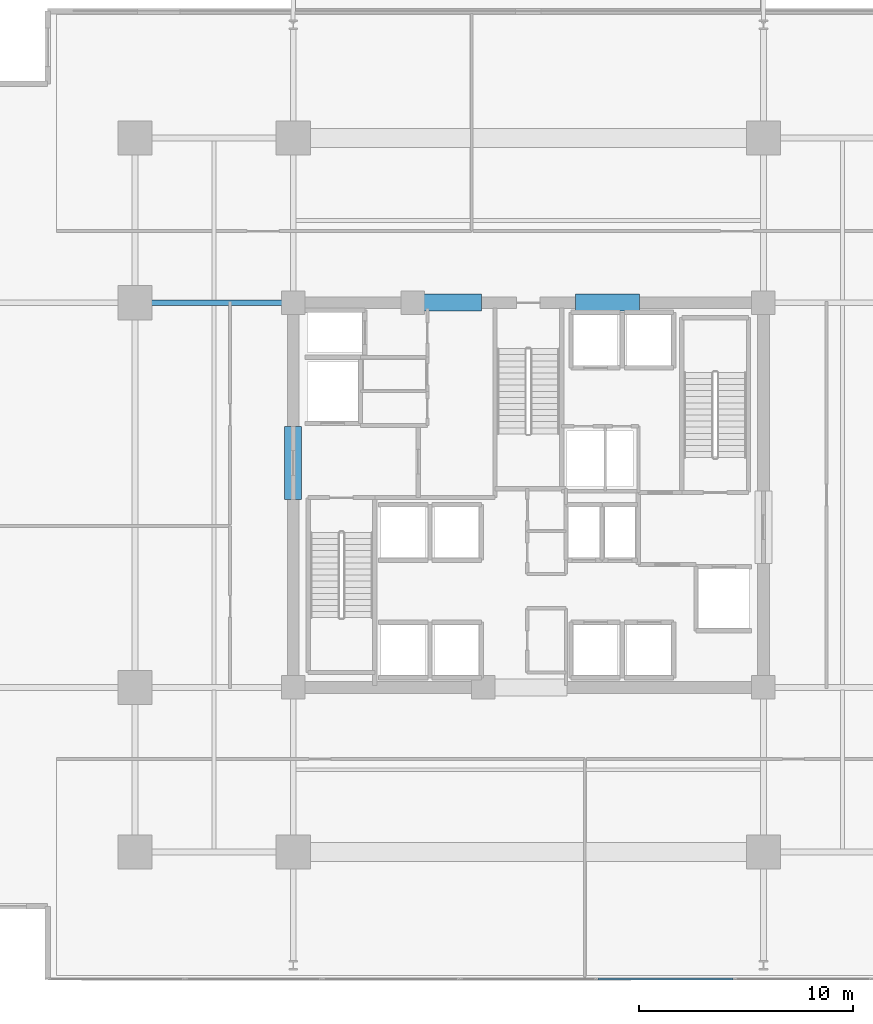
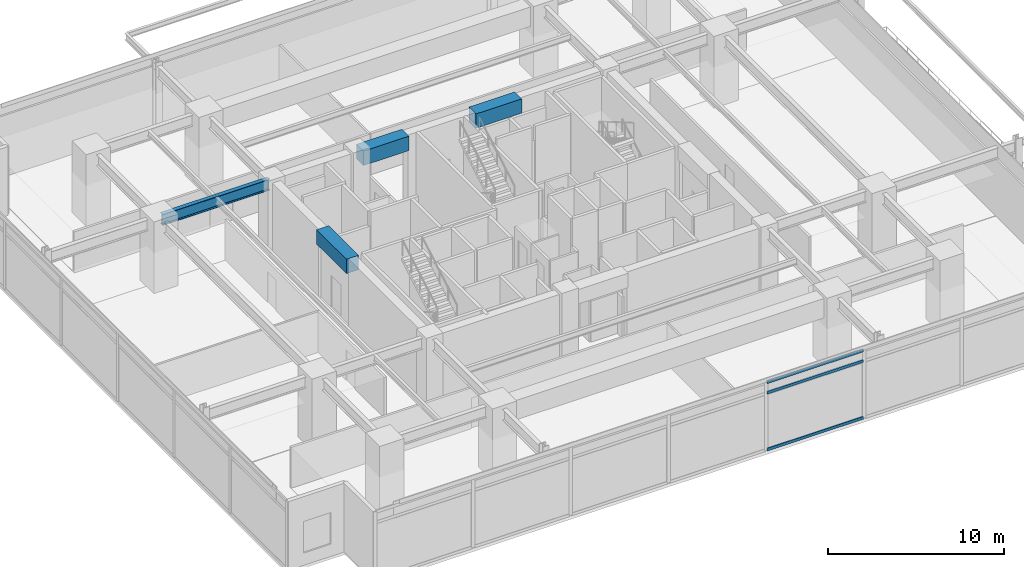
# One storey, part 7 of 20: 4 beams, 3 members, 1 element without a shape of its own.
"""IFC4 building model written with IfcOpenShell, lengths in metres."""

from ifc_helpers import new_model, si_unit, direction, frame, origin, origin_2d, place, context, subcontext, project, spatial, rectangle, hollow_rectangle, i_section, extrude, material, material_profile, profile_set, type_object, element, aggregate, save


model = new_model("IFC4")

# Units and contexts
model_context = context("Model", 3, precision=1e-05, world=origin(), true_north=direction((0.0, 1.0)))
body_context = subcontext(model_context, "Body", "Model", "MODEL_VIEW")
ifc_project = project(units=[si_unit("LENGTHUNIT", "METRE"), si_unit("AREAUNIT", "SQUARE_METRE"), si_unit("VOLUMEUNIT", "CUBIC_METRE"), si_unit("PLANEANGLEUNIT", "RADIAN"), si_unit("MASSUNIT", "GRAM", prefix="KILO")], contexts=[model_context])

# Site, building, storey
site_placement = place(None, origin())
site = spatial("IfcSite", under=ifc_project, at=site_placement, CompositionType="ELEMENT")
building_placement = place(site_placement, origin())
building = spatial("IfcBuilding", under=site, at=building_placement, Name="Kovane Verandah Tower", CompositionType="ELEMENT")
storey_placement = place(building_placement, frame((0.0, 0.0, 123.39990234375)))
storey = spatial("IfcBuildingStorey", under=building, at=storey_placement, Name="L28", CompositionType="ELEMENT", Elevation=123.39990234375)

# Beams
ifc_material_1 = material(Name="Concrete C60/75", Category="concrete")
ifc_material_profile_1 = material_profile(ifc_material_1, rectangle(XDim=0.800048828125, YDim=1.0, at=origin_2d()), Name="RCB800x1000")
ifc_profile_set_1 = profile_set([ifc_material_profile_1], Name="Concrete C60/75")
beam_type_1 = type_object("IfcBeamType", Name="BM-LINTEL-800x1000", PredefinedType="LINTEL", material=ifc_profile_set_1)
for number, where, z_axis, x_axis, name in (
    (1, (34.800048828125, 36.5, 4.275146484375), (1.0, 0.0, 0.0), (0.0, 1.0, 0.0), "L28 Core Coupling Lintel CL-N1"),
    (2, (42.199951171875, 36.5, 4.275146484375), (1.0, 0.0, 0.0), (0.0, 1.0, 0.0), "L28 Core Coupling Lintel CL-N2"),
):
    element("IfcBeam", number, at=place(storey_placement, frame(where, z_axis=z_axis, x_axis=x_axis)), inside=storey, type_object=beam_type_1, Name=name, PredefinedType="LINTEL", context=body_context, shape_type="SweptSolid", body=[
        extrude(rectangle(XDim=0.800048828125, YDim=1.0, at=origin_2d()), origin(), (0.0, 0.0, 1.0), 3.0),
    ])
beam_1_placement = place(storey_placement, frame((29.0, 27.300048828125, 4.275146484375), z_axis=(0.0, 1.0, 0.0), x_axis=(-1.0, 0.0, 0.0)))
element("IfcBeam", 3, at=beam_1_placement, inside=storey, type_object=beam_type_1, Name="L28 Core Coupling Lintel CL-W", PredefinedType="LINTEL", context=body_context, shape_type="SweptSolid", body=[
    extrude(rectangle(XDim=0.800048828125, YDim=1.0, at=origin_2d()), origin(), (0.0, 0.0, 1.0), 3.39990234375),
])
ifc_material_2 = material(Name="Steel S355", Category="steel")
ifc_material_profile_2 = material_profile(ifc_material_2, i_section(OverallWidth=0.26806640625, OverallDepth=0.769775390625, WebThickness=0.015625, FlangeThickness=0.025390625, FilletRadius=0.0166015625, at=origin_2d()), Name="UB762x267x197")
ifc_profile_set_2 = profile_set([ifc_material_profile_2], Name="Steel S355")
beam_type_2 = type_object("IfcBeamType", Name="BM-UB762x197", PredefinedType="BEAM", material=ifc_profile_set_2)
beam_2_placement = place(storey_placement, frame((28.820068359375, 36.5, 4.39013671875), z_axis=(-1.0, 0.0, 0.0), x_axis=(0.0, -1.0, 0.0)))
element("IfcBeam", 4, at=beam_2_placement, inside=storey, type_object=beam_type_2, Name="L28 Primary Tower Girder G-W2", PredefinedType="BEAM", context=body_context, shape_type="SweptSolid", body=[
    extrude(i_section(OverallWidth=0.26806640625, OverallDepth=0.769775390625, WebThickness=0.015625, FlangeThickness=0.025390625, FilletRadius=0.0166015625, at=origin_2d()), origin(), (0.0, 0.0, 1.0), 7.0400390625),
])

# Curtain wall, members
ifc_material_3 = material(Name="Champagne Anodised Aluminium Frame with Low-E Clear Laminated Glass", Category="aluminium")
curtain_wall_type = type_object("IfcCurtainWallType", Name="CW-SYS-03-MID", PredefinedType="NOTDEFINED", material=ifc_material_3)
curtain_wall_placement = place(storey_placement, origin())
curtain_wall = element("IfcCurtainWall", 5, at=curtain_wall_placement, inside=storey, type_object=curtain_wall_type, Name="L28 S Unitised Curtain Wall", PredefinedType="NOTDEFINED")
ifc_material_4 = material(Name="Champagne Anodised Aluminium 6063-T6", Category="aluminium")
ifc_material_profile_3 = material_profile(ifc_material_4, hollow_rectangle(XDim=0.0849609375, YDim=0.18994140625, WallThickness=0.00390625, at=origin_2d()), Name="AL85x190x4")
ifc_profile_set_3 = profile_set([ifc_material_profile_3], Name="Champagne Anodised Aluminium 6063-T6")
member_type = type_object("IfcMemberType", Name="CW-TRN-85x190", PredefinedType="USERDEFINED", material=ifc_profile_set_3)
member_1_placement = place(storey_placement, frame((43.26220703125, 4.86083984375, 0.050048828125), z_axis=(1.0, 0.0, 0.0), x_axis=(0.0, 1.0, 0.0)))
member_1 = element("IfcMember", 6, at=member_1_placement, type_object=member_type, Name="L28 S Unitised Curtain Wall Transom TB Bay 5", ObjectType="TRANSOM", PredefinedType="USERDEFINED", context=body_context, shape_type="SweptSolid", body=[
    extrude(hollow_rectangle(XDim=0.0849609375, YDim=0.18994140625, WallThickness=0.00390625, at=origin_2d()), origin(), (0.0, 0.0, 1.0), 6.323974609375),
])
member_2_placement = place(storey_placement, frame((43.26220703125, 4.86083984375, 3.9951171875), z_axis=(1.0, 0.0, 0.0), x_axis=(0.0, 1.0, 0.0)))
member_2 = element("IfcMember", 7, at=member_2_placement, type_object=member_type, Name="L28 S Unitised Curtain Wall Transom TM Bay 5", ObjectType="TRANSOM", PredefinedType="USERDEFINED", context=body_context, shape_type="SweptSolid", body=[
    extrude(hollow_rectangle(XDim=0.0849609375, YDim=0.18994140625, WallThickness=0.00390625, at=origin_2d()), origin(), (0.0, 0.0, 1.0), 6.323974609375),
])
member_3_placement = place(storey_placement, frame((43.26220703125, 4.86083984375, 4.72509765625), z_axis=(1.0, 0.0, 0.0), x_axis=(0.0, 1.0, 0.0)))
member_3 = element("IfcMember", 8, at=member_3_placement, type_object=member_type, Name="L28 S Unitised Curtain Wall Transom TT Bay 5", ObjectType="TRANSOM", PredefinedType="USERDEFINED", context=body_context, shape_type="SweptSolid", body=[
    extrude(hollow_rectangle(XDim=0.0849609375, YDim=0.18994140625, WallThickness=0.00390625, at=origin_2d()), origin(), (0.0, 0.0, 1.0), 6.323974609375),
])
aggregate(curtain_wall, [member_1, member_2, member_3])

save(model, "model.ifc")
